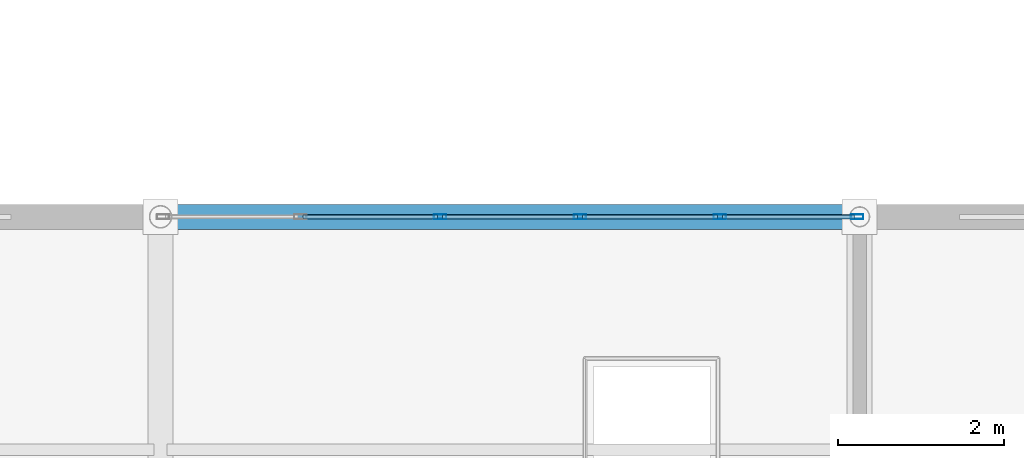
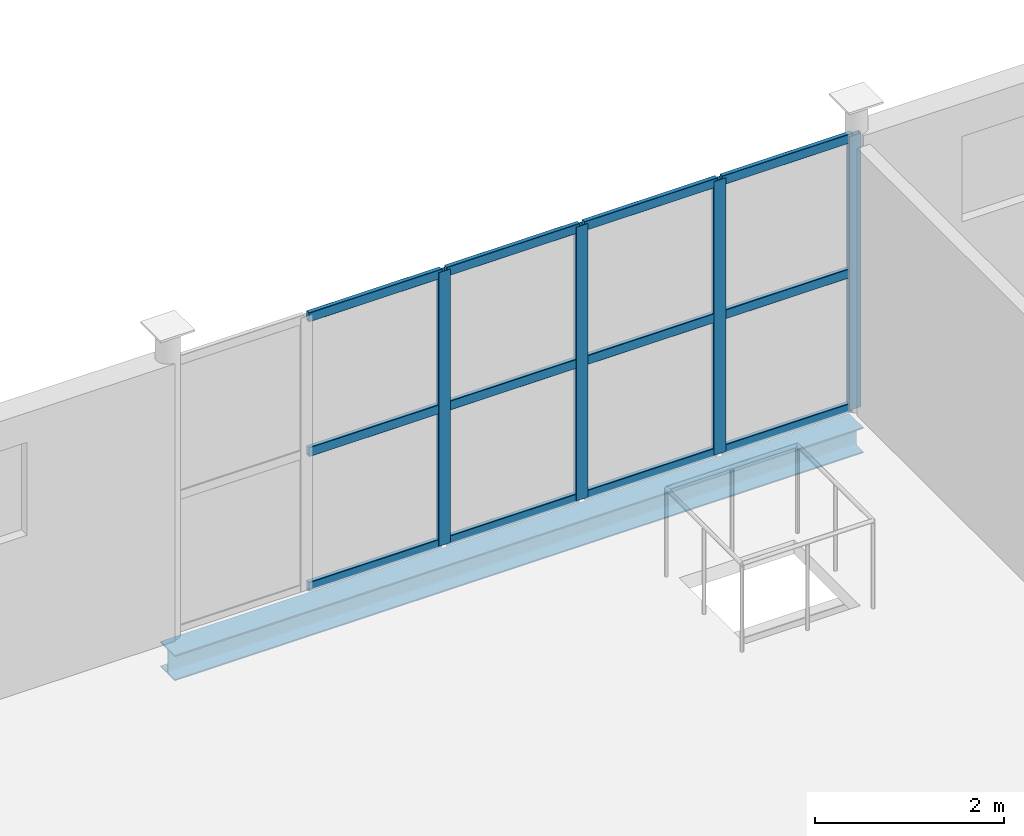
# One storey, part 99 of 163: 16 members, 1 beam, 1 element without a shape of its own.
"""IFC4 building model written with IfcOpenShell, lengths in metres."""

from ifc_helpers import new_model, si_unit, direction, frame, origin, origin_2d, place, context, subcontext, project, spatial, hollow_rectangle, i_section, extrude, material, layer, layer_set, material_profile, profile_set, type_object, element, aggregate, save


model = new_model("IFC4")

# Units and contexts
model_context = context("Model", 3, precision=1e-05, world=origin(), true_north=direction((0.0, 1.0)))
body_context = subcontext(model_context, "Body", "Model", "MODEL_VIEW")
ifc_project = project(units=[si_unit("LENGTHUNIT", "METRE"), si_unit("AREAUNIT", "SQUARE_METRE"), si_unit("VOLUMEUNIT", "CUBIC_METRE"), si_unit("PLANEANGLEUNIT", "RADIAN"), si_unit("MASSUNIT", "GRAM", prefix="KILO")], contexts=[model_context])

# Site, building, storey
site_placement = place(None, origin())
site = spatial("IfcSite", under=ifc_project, at=site_placement, CompositionType="ELEMENT")
building_placement = place(site_placement, origin())
building = spatial("IfcBuilding", under=site, at=building_placement, Name="Qalvenar Corner Mobility Hub", CompositionType="ELEMENT")
storey_placement = place(building_placement, frame((0.0, 0.0, 4.800048828125)))
storey = spatial("IfcBuildingStorey", under=building, at=storey_placement, Name="L01", CompositionType="ELEMENT", Elevation=4.800048828125)

# Beam
ifc_material_1 = material(Name="Steel S355", Category="steel")
ifc_material_profile_1 = material_profile(ifc_material_1, i_section(OverallWidth=0.300048828125, OverallDepth=0.330078125, WebThickness=0.009521484375, FlangeThickness=0.0166015625, FilletRadius=0.027099609375, at=origin_2d()), Name="HEA340")
ifc_profile_set_1 = profile_set([ifc_material_profile_1], Name="Steel S355")
beam_type = type_object("IfcBeamType", Name="BM-SPN340", PredefinedType="SPANDREL", material=ifc_profile_set_1)
beam_placement = place(storey_placement, frame((126.0, 50.39990234375, -0.344970703125), z_axis=(1.0, 0.0, 0.0), x_axis=(0.0, 1.0, 0.0)))
element("IfcBeam", 1, at=beam_placement, inside=storey, type_object=beam_type, Name="Primary Steel Girder GX-1022", PredefinedType="SPANDREL", context=body_context, shape_type="SweptSolid", body=[
    extrude(i_section(OverallWidth=0.300048828125, OverallDepth=0.330078125, WebThickness=0.009521484375, FlangeThickness=0.0166015625, FilletRadius=0.027099609375, at=origin_2d()), origin(), (0.0, 0.0, 1.0), 8.39990234375),
])

# Curtain wall, members
ifc_material_2 = material(Name="Anodised Aluminium and Low-E Glazing", Category="aluminium")
ifc_layer = layer(ifc_material_2, 0.14990234375)
ifc_layer_set = layer_set([ifc_layer], Name="Anodised Aluminium and Low-E Glazing")
curtain_wall_type = type_object("IfcCurtainWallType", Name="CW-WKS-84X44", PredefinedType="NOTDEFINED", material=ifc_layer_set)
curtain_wall_placement = place(storey_placement, origin())
curtain_wall = element("IfcCurtainWall", 2, at=curtain_wall_placement, inside=storey, type_object=curtain_wall_type, Name="Glazed Curtain Wall CW-V6-L01-N2", PredefinedType="NOTDEFINED")
ifc_material_3 = material(Name="Anodised Aluminium 6063-T6", Category="aluminium")
ifc_material_profile_2 = material_profile(ifc_material_3, hollow_rectangle(XDim=0.06005859375, YDim=0.14990234375, WallThickness=0.00390625, InnerFilletRadius=0.00390625, OuterFilletRadius=0.008056640625, at=origin_2d()), Name="RHS150x60x4")
ifc_profile_set_2 = profile_set([ifc_material_profile_2], Name="Anodised Aluminium 6063-T6")
member_type_1 = type_object("IfcMemberType", Name="CW-MUL150", PredefinedType="MULLION", material=ifc_profile_set_2)
member_1_placement = place(storey_placement, frame((134.3701171875, 50.39990234375, 0.0), z_axis=(0.0, 0.0, 1.0), x_axis=(0.0, -1.0, 0.0)))
member_1 = element("IfcMember", 3, at=member_1_placement, type_object=member_type_1, Name="CW-09 mullion 1", PredefinedType="MULLION", context=body_context, shape_type="SweptSolid", body=[
    extrude(hollow_rectangle(XDim=0.06005859375, YDim=0.14990234375, WallThickness=0.00390625, InnerFilletRadius=0.00390625, OuterFilletRadius=0.008056640625, at=origin_2d()), origin(), (0.0, 0.0, 1.0), 3.530029296875),
])
member_2_placement = place(storey_placement, frame((132.719970703125, 50.39990234375, 0.0), z_axis=(0.0, 0.0, 1.0), x_axis=(0.0, -1.0, 0.0)))
member_2 = element("IfcMember", 4, at=member_2_placement, type_object=member_type_1, Name="CW-09 mullion 2", PredefinedType="MULLION", context=body_context, shape_type="SweptSolid", body=[
    extrude(hollow_rectangle(XDim=0.06005859375, YDim=0.14990234375, WallThickness=0.00390625, InnerFilletRadius=0.00390625, OuterFilletRadius=0.008056640625, at=origin_2d()), origin(), (0.0, 0.0, 1.0), 3.530029296875),
])
member_3_placement = place(storey_placement, frame((131.0400390625, 50.39990234375, 0.0), z_axis=(0.0, 0.0, 1.0), x_axis=(0.0, -1.0, 0.0)))
member_3 = element("IfcMember", 5, at=member_3_placement, type_object=member_type_1, Name="CW-09 mullion 3", PredefinedType="MULLION", context=body_context, shape_type="SweptSolid", body=[
    extrude(hollow_rectangle(XDim=0.06005859375, YDim=0.14990234375, WallThickness=0.00390625, InnerFilletRadius=0.00390625, OuterFilletRadius=0.008056640625, at=origin_2d()), origin(), (0.0, 0.0, 1.0), 3.530029296875),
])
member_4_placement = place(storey_placement, frame((129.360107421875, 50.39990234375, 0.0), z_axis=(0.0, 0.0, 1.0), x_axis=(0.0, -1.0, 0.0)))
member_4 = element("IfcMember", 6, at=member_4_placement, type_object=member_type_1, Name="CW-09 mullion 4", PredefinedType="MULLION", context=body_context, shape_type="SweptSolid", body=[
    extrude(hollow_rectangle(XDim=0.06005859375, YDim=0.14990234375, WallThickness=0.00390625, InnerFilletRadius=0.00390625, OuterFilletRadius=0.008056640625, at=origin_2d()), origin(), (0.0, 0.0, 1.0), 3.530029296875),
])
ifc_material_profile_3 = material_profile(ifc_material_3, hollow_rectangle(XDim=0.054931640625, YDim=0.1201171875, WallThickness=0.00341796875, InnerFilletRadius=0.00341796875, OuterFilletRadius=0.007080078125, at=origin_2d()), Name="RHS120x55x3.5")
ifc_profile_set_3 = profile_set([ifc_material_profile_3], Name="Anodised Aluminium 6063-T6")
member_type_2 = type_object("IfcMemberType", Name="CW-TRN120", PredefinedType="USERDEFINED", material=ifc_profile_set_3)
member_5_placement = place(storey_placement, frame((134.340087890625, 50.39990234375, 0.02734375), z_axis=(-1.0, 0.0, 0.0), x_axis=(0.0, -1.0, 0.0)))
member_5 = element("IfcMember", 7, at=member_5_placement, type_object=member_type_2, Name="CW-09 transom 1.1", ObjectType="TRANSOM", PredefinedType="USERDEFINED", context=body_context, shape_type="SweptSolid", body=[
    extrude(hollow_rectangle(XDim=0.054931640625, YDim=0.1201171875, WallThickness=0.00341796875, InnerFilletRadius=0.00341796875, OuterFilletRadius=0.007080078125, at=origin_2d()), origin(), (0.0, 0.0, 1.0), 1.590087890625),
])
member_6_placement = place(storey_placement, frame((134.340087890625, 50.39990234375, 1.764892578125), z_axis=(-1.0, 0.0, 0.0), x_axis=(0.0, -1.0, 0.0)))
member_6 = element("IfcMember", 8, at=member_6_placement, type_object=member_type_2, Name="CW-09 transom 1.2", ObjectType="TRANSOM", PredefinedType="USERDEFINED", context=body_context, shape_type="SweptSolid", body=[
    extrude(hollow_rectangle(XDim=0.054931640625, YDim=0.1201171875, WallThickness=0.00341796875, InnerFilletRadius=0.00341796875, OuterFilletRadius=0.007080078125, at=origin_2d()), origin(), (0.0, 0.0, 1.0), 1.590087890625),
])
member_7_placement = place(storey_placement, frame((134.340087890625, 50.39990234375, 3.50244140625), z_axis=(-1.0, 0.0, 0.0), x_axis=(0.0, -1.0, 0.0)))
member_7 = element("IfcMember", 9, at=member_7_placement, type_object=member_type_2, Name="CW-09 transom 1.3", ObjectType="TRANSOM", PredefinedType="USERDEFINED", context=body_context, shape_type="SweptSolid", body=[
    extrude(hollow_rectangle(XDim=0.054931640625, YDim=0.1201171875, WallThickness=0.00341796875, InnerFilletRadius=0.00341796875, OuterFilletRadius=0.007080078125, at=origin_2d()), origin(), (0.0, 0.0, 1.0), 1.590087890625),
])
member_8_placement = place(storey_placement, frame((132.68994140625, 50.39990234375, 0.02734375), z_axis=(-1.0, 0.0, 0.0), x_axis=(0.0, -1.0, 0.0)))
member_8 = element("IfcMember", 10, at=member_8_placement, type_object=member_type_2, Name="CW-09 transom 2.1", ObjectType="TRANSOM", PredefinedType="USERDEFINED", context=body_context, shape_type="SweptSolid", body=[
    extrude(hollow_rectangle(XDim=0.054931640625, YDim=0.1201171875, WallThickness=0.00341796875, InnerFilletRadius=0.00341796875, OuterFilletRadius=0.007080078125, at=origin_2d()), origin(), (0.0, 0.0, 1.0), 1.619873046875),
])
member_9_placement = place(storey_placement, frame((132.68994140625, 50.39990234375, 1.764892578125), z_axis=(-1.0, 0.0, 0.0), x_axis=(0.0, -1.0, 0.0)))
member_9 = element("IfcMember", 11, at=member_9_placement, type_object=member_type_2, Name="CW-09 transom 2.2", ObjectType="TRANSOM", PredefinedType="USERDEFINED", context=body_context, shape_type="SweptSolid", body=[
    extrude(hollow_rectangle(XDim=0.054931640625, YDim=0.1201171875, WallThickness=0.00341796875, InnerFilletRadius=0.00341796875, OuterFilletRadius=0.007080078125, at=origin_2d()), origin(), (0.0, 0.0, 1.0), 1.619873046875),
])
member_10_placement = place(storey_placement, frame((132.68994140625, 50.39990234375, 3.50244140625), z_axis=(-1.0, 0.0, 0.0), x_axis=(0.0, -1.0, 0.0)))
member_10 = element("IfcMember", 12, at=member_10_placement, type_object=member_type_2, Name="CW-09 transom 2.3", ObjectType="TRANSOM", PredefinedType="USERDEFINED", context=body_context, shape_type="SweptSolid", body=[
    extrude(hollow_rectangle(XDim=0.054931640625, YDim=0.1201171875, WallThickness=0.00341796875, InnerFilletRadius=0.00341796875, OuterFilletRadius=0.007080078125, at=origin_2d()), origin(), (0.0, 0.0, 1.0), 1.619873046875),
])
member_11_placement = place(storey_placement, frame((131.010009765625, 50.39990234375, 0.02734375), z_axis=(-1.0, 0.0, 0.0), x_axis=(0.0, -1.0, 0.0)))
member_11 = element("IfcMember", 13, at=member_11_placement, type_object=member_type_2, Name="CW-09 transom 3.1", ObjectType="TRANSOM", PredefinedType="USERDEFINED", context=body_context, shape_type="SweptSolid", body=[
    extrude(hollow_rectangle(XDim=0.054931640625, YDim=0.1201171875, WallThickness=0.00341796875, InnerFilletRadius=0.00341796875, OuterFilletRadius=0.007080078125, at=origin_2d()), origin(), (0.0, 0.0, 1.0), 1.6201171875),
])
member_12_placement = place(storey_placement, frame((131.010009765625, 50.39990234375, 1.764892578125), z_axis=(-1.0, 0.0, 0.0), x_axis=(0.0, -1.0, 0.0)))
member_12 = element("IfcMember", 14, at=member_12_placement, type_object=member_type_2, Name="CW-09 transom 3.2", ObjectType="TRANSOM", PredefinedType="USERDEFINED", context=body_context, shape_type="SweptSolid", body=[
    extrude(hollow_rectangle(XDim=0.054931640625, YDim=0.1201171875, WallThickness=0.00341796875, InnerFilletRadius=0.00341796875, OuterFilletRadius=0.007080078125, at=origin_2d()), origin(), (0.0, 0.0, 1.0), 1.6201171875),
])
member_13_placement = place(storey_placement, frame((131.010009765625, 50.39990234375, 3.50244140625), z_axis=(-1.0, 0.0, 0.0), x_axis=(0.0, -1.0, 0.0)))
member_13 = element("IfcMember", 15, at=member_13_placement, type_object=member_type_2, Name="CW-09 transom 3.3", ObjectType="TRANSOM", PredefinedType="USERDEFINED", context=body_context, shape_type="SweptSolid", body=[
    extrude(hollow_rectangle(XDim=0.054931640625, YDim=0.1201171875, WallThickness=0.00341796875, InnerFilletRadius=0.00341796875, OuterFilletRadius=0.007080078125, at=origin_2d()), origin(), (0.0, 0.0, 1.0), 1.6201171875),
])
member_14_placement = place(storey_placement, frame((129.330078125, 50.39990234375, 0.02734375), z_axis=(-1.0, 0.0, 0.0), x_axis=(0.0, -1.0, 0.0)))
member_14 = element("IfcMember", 16, at=member_14_placement, type_object=member_type_2, Name="CW-09 transom 4.1", ObjectType="TRANSOM", PredefinedType="USERDEFINED", context=body_context, shape_type="SweptSolid", body=[
    extrude(hollow_rectangle(XDim=0.054931640625, YDim=0.1201171875, WallThickness=0.00341796875, InnerFilletRadius=0.00341796875, OuterFilletRadius=0.007080078125, at=origin_2d()), origin(), (0.0, 0.0, 1.0), 1.6201171875),
])
member_15_placement = place(storey_placement, frame((129.330078125, 50.39990234375, 1.764892578125), z_axis=(-1.0, 0.0, 0.0), x_axis=(0.0, -1.0, 0.0)))
member_15 = element("IfcMember", 17, at=member_15_placement, type_object=member_type_2, Name="CW-09 transom 4.2", ObjectType="TRANSOM", PredefinedType="USERDEFINED", context=body_context, shape_type="SweptSolid", body=[
    extrude(hollow_rectangle(XDim=0.054931640625, YDim=0.1201171875, WallThickness=0.00341796875, InnerFilletRadius=0.00341796875, OuterFilletRadius=0.007080078125, at=origin_2d()), origin(), (0.0, 0.0, 1.0), 1.6201171875),
])
member_16_placement = place(storey_placement, frame((129.330078125, 50.39990234375, 3.50244140625), z_axis=(-1.0, 0.0, 0.0), x_axis=(0.0, -1.0, 0.0)))
member_16 = element("IfcMember", 18, at=member_16_placement, type_object=member_type_2, Name="CW-09 transom 4.3", ObjectType="TRANSOM", PredefinedType="USERDEFINED", context=body_context, shape_type="SweptSolid", body=[
    extrude(hollow_rectangle(XDim=0.054931640625, YDim=0.1201171875, WallThickness=0.00341796875, InnerFilletRadius=0.00341796875, OuterFilletRadius=0.007080078125, at=origin_2d()), origin(), (0.0, 0.0, 1.0), 1.6201171875),
])
aggregate(curtain_wall, [member_1, member_2, member_3, member_4, member_5, member_6, member_7, member_8, member_9, member_10, member_11, member_12, member_13, member_14, member_15, member_16])

save(model, "model.ifc")
